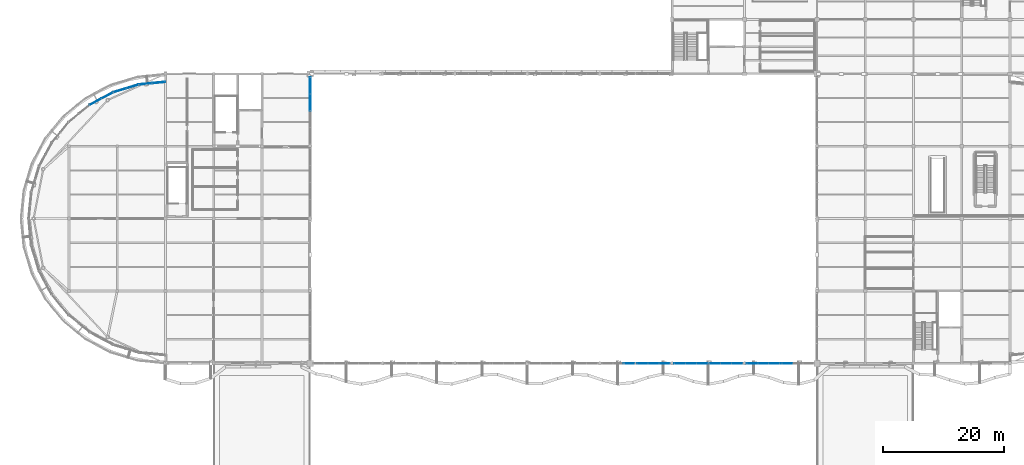
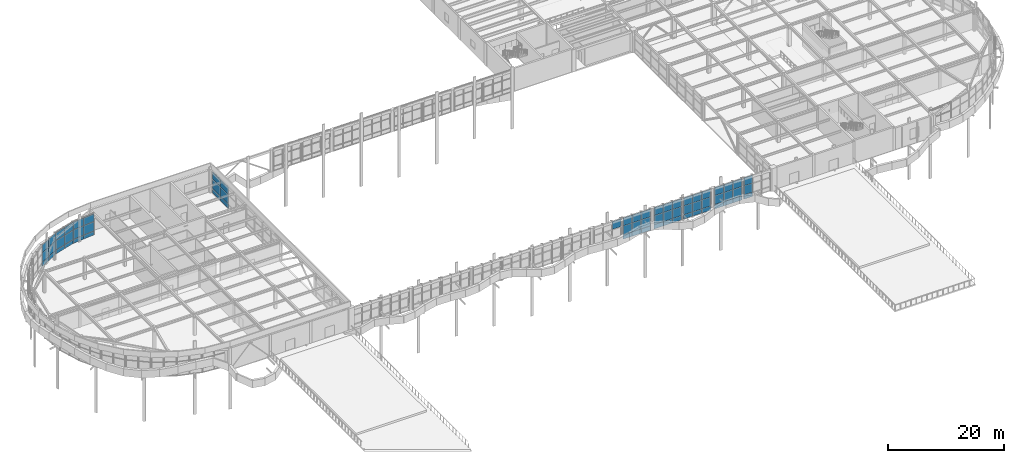
# One storey, part 36 of 63: 64 plates, 10 elements without a shape of their own.
"""IFC4 building model written with IfcOpenShell, lengths in metres."""

from ifc_helpers import new_model, si_unit, direction, frame, origin, origin_2d, place, context, subcontext, project, spatial, rectangle, extrude, material, layer, layer_set, type_object, element, aggregate, save


model = new_model("IFC4")

# Units and contexts
model_context = context("Model", 3, precision=1e-05, world=origin(), true_north=direction((0.0, 1.0)))
body_context = subcontext(model_context, "Body", "Model", "MODEL_VIEW")
ifc_project = project(units=[si_unit("LENGTHUNIT", "METRE"), si_unit("AREAUNIT", "SQUARE_METRE"), si_unit("VOLUMEUNIT", "CUBIC_METRE"), si_unit("PLANEANGLEUNIT", "RADIAN"), si_unit("MASSUNIT", "GRAM", prefix="KILO")], contexts=[model_context])

# Site, building, storey
site_placement = place(None, origin())
site = spatial("IfcSite", under=ifc_project, at=site_placement, CompositionType="ELEMENT")
building_placement = place(site_placement, origin())
building = spatial("IfcBuilding", under=site, at=building_placement, Name="Keelwater Ferry Terminal", CompositionType="ELEMENT")
storey_placement = place(building_placement, frame((0.0, 0.0, 10.199951171875)))
storey = spatial("IfcBuildingStorey", under=building, at=storey_placement, Name="L02", CompositionType="ELEMENT", Elevation=10.199951171875)

# Curtain wall, plates
ifc_material_1 = material(Name="Thermally broken unitised aluminium and triple glass", Category="aluminium")
ifc_layer_1 = layer(ifc_material_1, 0.179931640625)
ifc_layer_set_1 = layer_set([ifc_layer_1], Name="Thermally broken unitised aluminium and triple glass")
curtain_wall_type_1 = type_object("IfcCurtainWallType", Name="CW-04 Unitised Curtain Wall 5430x4450", PredefinedType="USERDEFINED", material=ifc_layer_set_1)
curtain_wall_1_placement = place(storey_placement, origin())
curtain_wall_1 = element("IfcCurtainWall", 1, at=curtain_wall_1_placement, inside=storey, type_object=curtain_wall_type_1, Name="Unitised Curtain Wall CW-L02-020", ObjectType="UNITISED CURTAIN WALL", PredefinedType="USERDEFINED")
ifc_material_2 = material(Name="Insulated white cassette spandrel", Category="aluminium")
ifc_layer_2 = layer(ifc_material_2, 0.094970703125)
ifc_layer_set_2 = layer_set([ifc_layer_2], Name="Insulated white cassette spandrel")
plate_type_1 = type_object("IfcPlateType", Name="CWP-S2 Insulated Spandrel Panel 95", PredefinedType="CURTAIN_PANEL", material=ifc_layer_set_2)
plate_1_placement = place(storey_placement, frame((103.10009765625, 42.0, 0.0), z_axis=(0.0, 0.0, 1.0), x_axis=(1.0, 0.0, 0.0)))
plate_1 = element("IfcPlate", 2, at=plate_1_placement, type_object=plate_type_1, Name="CW-L02-020 Panel 1.1", PredefinedType="CURTAIN_PANEL", context=body_context, shape_type="SweptSolid", body=[
    extrude(rectangle(XDim=1.81005859375, YDim=0.094970703125, at=origin_2d()), origin(), (0.0, 0.0, 1.0), 0.89990234375),
])
plate_2_placement = place(storey_placement, frame((104.909912109375, 42.0, 0.0), z_axis=(0.0, 0.0, 1.0), x_axis=(1.0, 0.0, 0.0)))
plate_2 = element("IfcPlate", 3, at=plate_2_placement, type_object=plate_type_1, Name="CW-L02-020 Panel 2.1", PredefinedType="CURTAIN_PANEL", context=body_context, shape_type="SweptSolid", body=[
    extrude(rectangle(XDim=1.81005859375, YDim=0.094970703125, at=origin_2d()), origin(), (0.0, 0.0, 1.0), 0.89990234375),
])
plate_3_placement = place(storey_placement, frame((106.719970703125, 42.0, 0.0), z_axis=(0.0, 0.0, 1.0), x_axis=(1.0, 0.0, 0.0)))
plate_3 = element("IfcPlate", 4, at=plate_3_placement, type_object=plate_type_1, Name="CW-L02-020 Panel 3.1", PredefinedType="CURTAIN_PANEL", context=body_context, shape_type="SweptSolid", body=[
    extrude(rectangle(XDim=1.81005859375, YDim=0.094970703125, at=origin_2d()), origin(), (0.0, 0.0, 1.0), 0.89990234375),
])

curtain_wall_2_placement = place(storey_placement, origin())
curtain_wall_2 = element("IfcCurtainWall", 5, at=curtain_wall_2_placement, inside=storey, type_object=curtain_wall_type_1, Name="Unitised Curtain Wall CW-L02-021", ObjectType="UNITISED CURTAIN WALL", PredefinedType="USERDEFINED")
plate_4_placement = place(storey_placement, frame((109.280029296875, 42.0, 0.0), z_axis=(0.0, 0.0, 1.0), x_axis=(1.0, 0.0, 0.0)))
plate_4 = element("IfcPlate", 6, at=plate_4_placement, type_object=plate_type_1, Name="CW-L02-021 Panel 1.1", PredefinedType="CURTAIN_PANEL", context=body_context, shape_type="SweptSolid", body=[
    extrude(rectangle(XDim=1.81005859375, YDim=0.094970703125, at=origin_2d()), origin(), (0.0, 0.0, 1.0), 0.89990234375),
])
plate_5_placement = place(storey_placement, frame((111.090087890625, 42.0, 0.0), z_axis=(0.0, 0.0, 1.0), x_axis=(1.0, 0.0, 0.0)))
plate_5 = element("IfcPlate", 7, at=plate_5_placement, type_object=plate_type_1, Name="CW-L02-021 Panel 2.1", PredefinedType="CURTAIN_PANEL", context=body_context, shape_type="SweptSolid", body=[
    extrude(rectangle(XDim=1.81005859375, YDim=0.094970703125, at=origin_2d()), origin(), (0.0, 0.0, 1.0), 0.89990234375),
])
plate_6_placement = place(storey_placement, frame((112.89990234375, 42.0, 0.0), z_axis=(0.0, 0.0, 1.0), x_axis=(1.0, 0.0, 0.0)))
plate_6 = element("IfcPlate", 8, at=plate_6_placement, type_object=plate_type_1, Name="CW-L02-021 Panel 3.1", PredefinedType="CURTAIN_PANEL", context=body_context, shape_type="SweptSolid", body=[
    extrude(rectangle(XDim=1.81005859375, YDim=0.094970703125, at=origin_2d()), origin(), (0.0, 0.0, 1.0), 0.89990234375),
])

curtain_wall_3_placement = place(storey_placement, origin())
curtain_wall_3 = element("IfcCurtainWall", 9, at=curtain_wall_3_placement, inside=storey, type_object=curtain_wall_type_1, Name="Unitised Curtain Wall CW-L02-022", ObjectType="UNITISED CURTAIN WALL", PredefinedType="USERDEFINED")
plate_7_placement = place(storey_placement, frame((115.10009765625, 42.0, 0.0), z_axis=(0.0, 0.0, 1.0), x_axis=(1.0, 0.0, 0.0)))
plate_7 = element("IfcPlate", 10, at=plate_7_placement, type_object=plate_type_1, Name="CW-L02-022 Panel 1.1", PredefinedType="CURTAIN_PANEL", context=body_context, shape_type="SweptSolid", body=[
    extrude(rectangle(XDim=1.81005859375, YDim=0.094970703125, at=origin_2d()), origin(), (0.0, 0.0, 1.0), 0.89990234375),
])
plate_8_placement = place(storey_placement, frame((116.909912109375, 42.0, 0.0), z_axis=(0.0, 0.0, 1.0), x_axis=(1.0, 0.0, 0.0)))
plate_8 = element("IfcPlate", 11, at=plate_8_placement, type_object=plate_type_1, Name="CW-L02-022 Panel 2.1", PredefinedType="CURTAIN_PANEL", context=body_context, shape_type="SweptSolid", body=[
    extrude(rectangle(XDim=1.81005859375, YDim=0.094970703125, at=origin_2d()), origin(), (0.0, 0.0, 1.0), 0.89990234375),
])
plate_9_placement = place(storey_placement, frame((118.719970703125, 42.0, 0.0), z_axis=(0.0, 0.0, 1.0), x_axis=(1.0, 0.0, 0.0)))
plate_9 = element("IfcPlate", 12, at=plate_9_placement, type_object=plate_type_1, Name="CW-L02-022 Panel 3.1", PredefinedType="CURTAIN_PANEL", context=body_context, shape_type="SweptSolid", body=[
    extrude(rectangle(XDim=1.81005859375, YDim=0.094970703125, at=origin_2d()), origin(), (0.0, 0.0, 1.0), 0.89990234375),
])

curtain_wall_4_placement = place(storey_placement, origin())
curtain_wall_4 = element("IfcCurtainWall", 13, at=curtain_wall_4_placement, inside=storey, type_object=curtain_wall_type_1, Name="Unitised Curtain Wall CW-L02-023", ObjectType="UNITISED CURTAIN WALL", PredefinedType="USERDEFINED")
plate_10_placement = place(storey_placement, frame((121.280029296875, 42.0, 0.0), z_axis=(0.0, 0.0, 1.0), x_axis=(1.0, 0.0, 0.0)))
plate_10 = element("IfcPlate", 14, at=plate_10_placement, type_object=plate_type_1, Name="CW-L02-023 Panel 1.1", PredefinedType="CURTAIN_PANEL", context=body_context, shape_type="SweptSolid", body=[
    extrude(rectangle(XDim=1.81005859375, YDim=0.094970703125, at=origin_2d()), origin(), (0.0, 0.0, 1.0), 0.89990234375),
])
plate_11_placement = place(storey_placement, frame((123.090087890625, 42.0, 0.0), z_axis=(0.0, 0.0, 1.0), x_axis=(1.0, 0.0, 0.0)))
plate_11 = element("IfcPlate", 15, at=plate_11_placement, type_object=plate_type_1, Name="CW-L02-023 Panel 2.1", PredefinedType="CURTAIN_PANEL", context=body_context, shape_type="SweptSolid", body=[
    extrude(rectangle(XDim=1.81005859375, YDim=0.094970703125, at=origin_2d()), origin(), (0.0, 0.0, 1.0), 0.89990234375),
])
plate_12_placement = place(storey_placement, frame((124.89990234375, 42.0, 0.0), z_axis=(0.0, 0.0, 1.0), x_axis=(1.0, 0.0, 0.0)))
plate_12 = element("IfcPlate", 16, at=plate_12_placement, type_object=plate_type_1, Name="CW-L02-023 Panel 3.1", PredefinedType="CURTAIN_PANEL", context=body_context, shape_type="SweptSolid", body=[
    extrude(rectangle(XDim=1.81005859375, YDim=0.094970703125, at=origin_2d()), origin(), (0.0, 0.0, 1.0), 0.89990234375),
])

# Curtain wall, plate
ifc_material_3 = material(Name="Thermally broken unitised aluminium and triple glass", Category="aluminium")
ifc_layer_3 = layer(ifc_material_3, 0.179931640625)
ifc_layer_set_3 = layer_set([ifc_layer_3], Name="Thermally broken unitised aluminium and triple glass")
curtain_wall_type_2 = type_object("IfcCurtainWallType", Name="CW-03 Unitised Curtain Wall 5230x4450", PredefinedType="USERDEFINED", material=ifc_layer_set_3)
curtain_wall_5_placement = place(storey_placement, origin())
curtain_wall_5 = element("IfcCurtainWall", 17, at=curtain_wall_5_placement, inside=storey, type_object=curtain_wall_type_2, Name="Unitised Curtain Wall CW-L02-024", ObjectType="UNITISED CURTAIN WALL", PredefinedType="USERDEFINED")
plate_13_placement = place(storey_placement, frame((127.066650390625, 42.0, 0.0), z_axis=(0.0, 0.0, 1.0), x_axis=(1.0, 0.0, 0.0)))
plate_13 = element("IfcPlate", 18, at=plate_13_placement, type_object=plate_type_1, Name="CW-L02-024 Panel 1.1", PredefinedType="CURTAIN_PANEL", context=body_context, shape_type="SweptSolid", body=[
    extrude(rectangle(XDim=1.743408203125, YDim=0.094970703125, at=origin_2d()), origin(), (0.0, 0.0, 1.0), 0.89990234375),
])

# Curtain wall, plates
ifc_material_4 = material(Name="Thermally broken unitised aluminium and triple glass", Category="aluminium")
ifc_layer_4 = layer(ifc_material_4, 0.179931640625)
ifc_layer_set_4 = layer_set([ifc_layer_4], Name="Thermally broken unitised aluminium and triple glass")
curtain_wall_type_3 = type_object("IfcCurtainWallType", Name="CW-14 Unitised Curtain Wall 11050x4450", PredefinedType="USERDEFINED", material=ifc_layer_set_4)
curtain_wall_6_placement = place(storey_placement, origin())
curtain_wall_6 = element("IfcCurtainWall", 19, at=curtain_wall_6_placement, inside=storey, type_object=curtain_wall_type_3, Name="Unitised Curtain Wall CW-L02-073", ObjectType="UNITISED CURTAIN WALL", PredefinedType="USERDEFINED")
plate_14_placement = place(storey_placement, frame((48.0, 85.28125, 0.0), z_axis=(0.0, 0.0, 1.0), x_axis=(0.0, 1.0, 0.0)))
plate_14 = element("IfcPlate", 20, at=plate_14_placement, type_object=plate_type_1, Name="CW-L02-073 Panel 3.1", PredefinedType="CURTAIN_PANEL", context=body_context, shape_type="SweptSolid", body=[
    extrude(rectangle(XDim=2.762451171875, YDim=0.094970703125, at=origin_2d()), origin(), (0.0, 0.0, 1.0), 0.89990234375),
])
plate_15_placement = place(storey_placement, frame((48.0, 88.043701171875, 0.0), z_axis=(0.0, 0.0, 1.0), x_axis=(0.0, 1.0, 0.0)))
plate_15 = element("IfcPlate", 21, at=plate_15_placement, type_object=plate_type_1, Name="CW-L02-073 Panel 4.1", PredefinedType="CURTAIN_PANEL", context=body_context, shape_type="SweptSolid", body=[
    extrude(rectangle(XDim=2.762451171875, YDim=0.094970703125, at=origin_2d()), origin(), (0.0, 0.0, 1.0), 0.89990234375),
])

ifc_material_5 = material(Name="Thermally broken unitised aluminium and triple glass", Category="aluminium")
ifc_layer_5 = layer(ifc_material_5, 0.179931640625)
ifc_layer_set_5 = layer_set([ifc_layer_5], Name="Thermally broken unitised aluminium and triple glass")
curtain_wall_type_4 = type_object("IfcCurtainWallType", Name="CW-18 Unitised Curtain Wall 4350x4480", PredefinedType="USERDEFINED", material=ifc_layer_set_5)
curtain_wall_7_placement = place(storey_placement, origin())
curtain_wall_7 = element("IfcCurtainWall", 22, at=curtain_wall_7_placement, inside=storey, type_object=curtain_wall_type_4, Name="Unitised Curtain Wall CW-L02-141", ObjectType="UNITISED CURTAIN WALL", PredefinedType="USERDEFINED")
plate_16_placement = place(storey_placement, frame((22.872802734375, 88.539306640625, 0.0), z_axis=(0.0, 0.0, 1.0), x_axis=(-0.995170573079, -0.098160737969, 0.0)))
plate_16 = element("IfcPlate", 23, at=plate_16_placement, type_object=plate_type_1, Name="CW-L02-141 Panel 1.1", PredefinedType="CURTAIN_PANEL", context=body_context, shape_type="SweptSolid", body=[
    extrude(rectangle(XDim=2.175048828125, YDim=0.094970703125, at=origin_2d()), origin(), (0.0, 0.0, 1.0), 0.85009765625),
])
plate_17_placement = place(storey_placement, frame((20.708251953125, 88.32568359375, 0.0), z_axis=(0.0, 0.0, 1.0), x_axis=(-0.995170573079, -0.098160737969, 0.0)))
plate_17 = element("IfcPlate", 24, at=plate_17_placement, type_object=plate_type_1, Name="CW-L02-141 Panel 2.1", PredefinedType="CURTAIN_PANEL", context=body_context, shape_type="SweptSolid", body=[
    extrude(rectangle(XDim=2.175048828125, YDim=0.094970703125, at=origin_2d()), origin(), (0.0, 0.0, 1.0), 0.85009765625),
])

curtain_wall_8_placement = place(storey_placement, origin())
curtain_wall_8 = element("IfcCurtainWall", 25, at=curtain_wall_8_placement, inside=storey, type_object=curtain_wall_type_4, Name="Unitised Curtain Wall CW-L02-142", ObjectType="UNITISED CURTAIN WALL", PredefinedType="USERDEFINED")
plate_18_placement = place(storey_placement, frame((18.497314453125, 87.88623046875, 0.0), z_axis=(0.0, 0.0, 1.0), x_axis=(-0.956929623319, -0.290319989003, 0.0)))
plate_18 = element("IfcPlate", 26, at=plate_18_placement, type_object=plate_type_1, Name="CW-L02-142 Panel 1.1", PredefinedType="CURTAIN_PANEL", context=body_context, shape_type="SweptSolid", body=[
    extrude(rectangle(XDim=2.17529296875, YDim=0.094970703125, at=origin_2d()), origin(), (0.0, 0.0, 1.0), 0.85009765625),
])
plate_19_placement = place(storey_placement, frame((16.415771484375, 87.254638671875, 0.0), z_axis=(0.0, 0.0, 1.0), x_axis=(-0.956929623319, -0.290319989003, 0.0)))
plate_19 = element("IfcPlate", 27, at=plate_19_placement, type_object=plate_type_1, Name="CW-L02-142 Panel 2.1", PredefinedType="CURTAIN_PANEL", context=body_context, shape_type="SweptSolid", body=[
    extrude(rectangle(XDim=2.17529296875, YDim=0.094970703125, at=origin_2d()), origin(), (0.0, 0.0, 1.0), 0.85009765625),
])

curtain_wall_9_placement = place(storey_placement, origin())
curtain_wall_9 = element("IfcCurtainWall", 28, at=curtain_wall_9_placement, inside=storey, type_object=curtain_wall_type_4, Name="Unitised Curtain Wall CW-L02-143", ObjectType="UNITISED CURTAIN WALL", PredefinedType="USERDEFINED")
plate_20_placement = place(storey_placement, frame((14.3330078125, 86.392333984375, 0.0), z_axis=(0.0, 0.0, 1.0), x_axis=(-0.881862452632, -0.471506749303, 0.0)))
plate_20 = element("IfcPlate", 29, at=plate_20_placement, type_object=plate_type_1, Name="CW-L02-143 Panel 1.1", PredefinedType="CURTAIN_PANEL", context=body_context, shape_type="SweptSolid", body=[
    extrude(rectangle(XDim=2.175048828125, YDim=0.094970703125, at=origin_2d()), origin(), (0.0, 0.0, 1.0), 0.85009765625),
])
plate_21_placement = place(storey_placement, frame((12.4150390625, 85.36669921875, 0.0), z_axis=(0.0, 0.0, 1.0), x_axis=(-0.881862452632, -0.471506749303, 0.0)))
plate_21 = element("IfcPlate", 30, at=plate_21_placement, type_object=plate_type_1, Name="CW-L02-143 Panel 2.1", PredefinedType="CURTAIN_PANEL", context=body_context, shape_type="SweptSolid", body=[
    extrude(rectangle(XDim=2.175048828125, YDim=0.094970703125, at=origin_2d()), origin(), (0.0, 0.0, 1.0), 0.85009765625),
])

# Plate
ifc_material_6 = material(Name="Triple low-E laminated glass", Category="glass")
ifc_layer_6 = layer(ifc_material_6, 0.035888671875)
ifc_layer_set_6 = layer_set([ifc_layer_6], Name="Triple low-E laminated glass")
plate_type_2 = type_object("IfcPlateType", Name="CWP-V1 Glazed Vision Panel 36", PredefinedType="CURTAIN_PANEL", material=ifc_layer_set_6)
plate_22_placement = place(storey_placement, frame((22.872802734375, 88.539306640625, 0.85009765625), z_axis=(0.0, 0.0, 1.0), x_axis=(-0.995170573079, -0.098160737969, 0.0)))
plate_22 = element("IfcPlate", 31, at=plate_22_placement, type_object=plate_type_2, Name="CW-L02-141 Panel 1.2", PredefinedType="CURTAIN_PANEL", context=body_context, shape_type="SweptSolid", body=[
    extrude(rectangle(XDim=2.175048828125, YDim=0.035888671875, at=origin_2d()), origin(), (0.0, 0.0, 1.0), 2.0),
])

plate_23_placement = place(storey_placement, frame((22.872802734375, 88.539306640625, 2.85009765625), z_axis=(0.0, 0.0, 1.0), x_axis=(-0.995170573079, -0.098160737969, 0.0)))
plate_23 = element("IfcPlate", 32, at=plate_23_placement, type_object=plate_type_2, Name="CW-L02-141 Panel 1.3", PredefinedType="CURTAIN_PANEL", context=body_context, shape_type="SweptSolid", body=[
    extrude(rectangle(XDim=2.175048828125, YDim=0.035888671875, at=origin_2d()), origin(), (0.0, 0.0, 1.0), 1.6298828125),
])

plate_24_placement = place(storey_placement, frame((20.708251953125, 88.32568359375, 0.85009765625), z_axis=(0.0, 0.0, 1.0), x_axis=(-0.995170573079, -0.098160737969, 0.0)))
plate_24 = element("IfcPlate", 33, at=plate_24_placement, type_object=plate_type_2, Name="CW-L02-141 Panel 2.2", PredefinedType="CURTAIN_PANEL", context=body_context, shape_type="SweptSolid", body=[
    extrude(rectangle(XDim=2.175048828125, YDim=0.035888671875, at=origin_2d()), origin(), (0.0, 0.0, 1.0), 2.0),
])

plate_25_placement = place(storey_placement, frame((20.708251953125, 88.32568359375, 2.85009765625), z_axis=(0.0, 0.0, 1.0), x_axis=(-0.995170573079, -0.098160737969, 0.0)))
plate_25 = element("IfcPlate", 34, at=plate_25_placement, type_object=plate_type_2, Name="CW-L02-141 Panel 2.3", PredefinedType="CURTAIN_PANEL", context=body_context, shape_type="SweptSolid", body=[
    extrude(rectangle(XDim=2.175048828125, YDim=0.035888671875, at=origin_2d()), origin(), (0.0, 0.0, 1.0), 1.6298828125),
])

aggregate(curtain_wall_7, [plate_16, plate_22, plate_23, plate_17, plate_24, plate_25])

plate_26_placement = place(storey_placement, frame((18.497314453125, 87.88623046875, 0.85009765625), z_axis=(0.0, 0.0, 1.0), x_axis=(-0.956929623319, -0.290319989003, 0.0)))
plate_26 = element("IfcPlate", 35, at=plate_26_placement, type_object=plate_type_2, Name="CW-L02-142 Panel 1.2", PredefinedType="CURTAIN_PANEL", context=body_context, shape_type="SweptSolid", body=[
    extrude(rectangle(XDim=2.17529296875, YDim=0.035888671875, at=origin_2d()), origin(), (0.0, 0.0, 1.0), 2.0),
])

plate_27_placement = place(storey_placement, frame((18.497314453125, 87.88623046875, 2.85009765625), z_axis=(0.0, 0.0, 1.0), x_axis=(-0.956929623319, -0.290319989003, 0.0)))
plate_27 = element("IfcPlate", 36, at=plate_27_placement, type_object=plate_type_2, Name="CW-L02-142 Panel 1.3", PredefinedType="CURTAIN_PANEL", context=body_context, shape_type="SweptSolid", body=[
    extrude(rectangle(XDim=2.17529296875, YDim=0.035888671875, at=origin_2d()), origin(), (0.0, 0.0, 1.0), 1.6298828125),
])

plate_28_placement = place(storey_placement, frame((16.415771484375, 87.254638671875, 0.85009765625), z_axis=(0.0, 0.0, 1.0), x_axis=(-0.956929623319, -0.290319989003, 0.0)))
plate_28 = element("IfcPlate", 37, at=plate_28_placement, type_object=plate_type_2, Name="CW-L02-142 Panel 2.2", PredefinedType="CURTAIN_PANEL", context=body_context, shape_type="SweptSolid", body=[
    extrude(rectangle(XDim=2.17529296875, YDim=0.035888671875, at=origin_2d()), origin(), (0.0, 0.0, 1.0), 2.0),
])

plate_29_placement = place(storey_placement, frame((16.415771484375, 87.254638671875, 2.85009765625), z_axis=(0.0, 0.0, 1.0), x_axis=(-0.956929623319, -0.290319989003, 0.0)))
plate_29 = element("IfcPlate", 38, at=plate_29_placement, type_object=plate_type_2, Name="CW-L02-142 Panel 2.3", PredefinedType="CURTAIN_PANEL", context=body_context, shape_type="SweptSolid", body=[
    extrude(rectangle(XDim=2.17529296875, YDim=0.035888671875, at=origin_2d()), origin(), (0.0, 0.0, 1.0), 1.6298828125),
])

aggregate(curtain_wall_8, [plate_18, plate_26, plate_27, plate_19, plate_28, plate_29])

plate_30_placement = place(storey_placement, frame((14.3330078125, 86.392333984375, 0.85009765625), z_axis=(0.0, 0.0, 1.0), x_axis=(-0.881862452632, -0.471506749303, 0.0)))
plate_30 = element("IfcPlate", 39, at=plate_30_placement, type_object=plate_type_2, Name="CW-L02-143 Panel 1.2", PredefinedType="CURTAIN_PANEL", context=body_context, shape_type="SweptSolid", body=[
    extrude(rectangle(XDim=2.175048828125, YDim=0.035888671875, at=origin_2d()), origin(), (0.0, 0.0, 1.0), 2.0),
])

plate_31_placement = place(storey_placement, frame((14.3330078125, 86.392333984375, 2.85009765625), z_axis=(0.0, 0.0, 1.0), x_axis=(-0.881862452632, -0.471506749303, 0.0)))
plate_31 = element("IfcPlate", 40, at=plate_31_placement, type_object=plate_type_2, Name="CW-L02-143 Panel 1.3", PredefinedType="CURTAIN_PANEL", context=body_context, shape_type="SweptSolid", body=[
    extrude(rectangle(XDim=2.175048828125, YDim=0.035888671875, at=origin_2d()), origin(), (0.0, 0.0, 1.0), 1.6298828125),
])

plate_32_placement = place(storey_placement, frame((12.4150390625, 85.36669921875, 0.85009765625), z_axis=(0.0, 0.0, 1.0), x_axis=(-0.881862452632, -0.471506749303, 0.0)))
plate_32 = element("IfcPlate", 41, at=plate_32_placement, type_object=plate_type_2, Name="CW-L02-143 Panel 2.2", PredefinedType="CURTAIN_PANEL", context=body_context, shape_type="SweptSolid", body=[
    extrude(rectangle(XDim=2.175048828125, YDim=0.035888671875, at=origin_2d()), origin(), (0.0, 0.0, 1.0), 2.0),
])

plate_33_placement = place(storey_placement, frame((12.4150390625, 85.36669921875, 2.85009765625), z_axis=(0.0, 0.0, 1.0), x_axis=(-0.881862452632, -0.471506749303, 0.0)))
plate_33 = element("IfcPlate", 42, at=plate_33_placement, type_object=plate_type_2, Name="CW-L02-143 Panel 2.3", PredefinedType="CURTAIN_PANEL", context=body_context, shape_type="SweptSolid", body=[
    extrude(rectangle(XDim=2.175048828125, YDim=0.035888671875, at=origin_2d()), origin(), (0.0, 0.0, 1.0), 1.6298828125),
])

aggregate(curtain_wall_9, [plate_20, plate_30, plate_31, plate_21, plate_32, plate_33])

# Curtain wall, plate
curtain_wall_10_placement = place(storey_placement, origin())
curtain_wall_10 = element("IfcCurtainWall", 43, at=curtain_wall_10_placement, inside=storey, type_object=curtain_wall_type_1, Name="Unitised Curtain Wall CW-L02-019", ObjectType="UNITISED CURTAIN WALL", PredefinedType="USERDEFINED")
ifc_material_7 = material(Name="Triple solar-control glass", Category="glass")
ifc_layer_7 = layer(ifc_material_7, 0.0419921875)
ifc_layer_set_7 = layer_set([ifc_layer_7], Name="Triple solar-control glass")
plate_type_3 = type_object("IfcPlateType", Name="CWP-V2 Glazed Vision Panel 42", PredefinedType="CURTAIN_PANEL", material=ifc_layer_set_7)
plate_34_placement = place(storey_placement, frame((100.89990234375, 42.0, 2.800048828125), z_axis=(0.0, 0.0, 1.0), x_axis=(1.0, 0.0, 0.0)))
plate_34 = element("IfcPlate", 44, at=plate_34_placement, type_object=plate_type_3, Name="CW-L02-019 Panel 3.3", PredefinedType="CURTAIN_PANEL", context=body_context, shape_type="SweptSolid", body=[
    extrude(rectangle(XDim=1.81005859375, YDim=0.0419921875, at=origin_2d()), origin(), (0.0, 0.0, 1.0), 1.64990234375),
])
aggregate(curtain_wall_10, [plate_34])

# Plate
plate_35_placement = place(storey_placement, frame((103.10009765625, 42.0, 0.900146484375), z_axis=(0.0, 0.0, 1.0), x_axis=(1.0, 0.0, 0.0)))
plate_35 = element("IfcPlate", 45, at=plate_35_placement, type_object=plate_type_3, Name="CW-L02-020 Panel 1.2", PredefinedType="CURTAIN_PANEL", context=body_context, shape_type="SweptSolid", body=[
    extrude(rectangle(XDim=1.81005859375, YDim=0.0419921875, at=origin_2d()), origin(), (0.0, 0.0, 1.0), 1.89990234375),
])

plate_36_placement = place(storey_placement, frame((103.10009765625, 42.0, 2.800048828125), z_axis=(0.0, 0.0, 1.0), x_axis=(1.0, 0.0, 0.0)))
plate_36 = element("IfcPlate", 46, at=plate_36_placement, type_object=plate_type_3, Name="CW-L02-020 Panel 1.3", PredefinedType="CURTAIN_PANEL", context=body_context, shape_type="SweptSolid", body=[
    extrude(rectangle(XDim=1.81005859375, YDim=0.0419921875, at=origin_2d()), origin(), (0.0, 0.0, 1.0), 1.64990234375),
])

plate_37_placement = place(storey_placement, frame((104.909912109375, 42.0, 0.900146484375), z_axis=(0.0, 0.0, 1.0), x_axis=(1.0, 0.0, 0.0)))
plate_37 = element("IfcPlate", 47, at=plate_37_placement, type_object=plate_type_3, Name="CW-L02-020 Panel 2.2", PredefinedType="CURTAIN_PANEL", context=body_context, shape_type="SweptSolid", body=[
    extrude(rectangle(XDim=1.81005859375, YDim=0.0419921875, at=origin_2d()), origin(), (0.0, 0.0, 1.0), 1.89990234375),
])

plate_38_placement = place(storey_placement, frame((104.909912109375, 42.0, 2.800048828125), z_axis=(0.0, 0.0, 1.0), x_axis=(1.0, 0.0, 0.0)))
plate_38 = element("IfcPlate", 48, at=plate_38_placement, type_object=plate_type_3, Name="CW-L02-020 Panel 2.3", PredefinedType="CURTAIN_PANEL", context=body_context, shape_type="SweptSolid", body=[
    extrude(rectangle(XDim=1.81005859375, YDim=0.0419921875, at=origin_2d()), origin(), (0.0, 0.0, 1.0), 1.64990234375),
])

plate_39_placement = place(storey_placement, frame((106.719970703125, 42.0, 0.900146484375), z_axis=(0.0, 0.0, 1.0), x_axis=(1.0, 0.0, 0.0)))
plate_39 = element("IfcPlate", 49, at=plate_39_placement, type_object=plate_type_3, Name="CW-L02-020 Panel 3.2", PredefinedType="CURTAIN_PANEL", context=body_context, shape_type="SweptSolid", body=[
    extrude(rectangle(XDim=1.81005859375, YDim=0.0419921875, at=origin_2d()), origin(), (0.0, 0.0, 1.0), 1.89990234375),
])

plate_40_placement = place(storey_placement, frame((106.719970703125, 42.0, 2.800048828125), z_axis=(0.0, 0.0, 1.0), x_axis=(1.0, 0.0, 0.0)))
plate_40 = element("IfcPlate", 50, at=plate_40_placement, type_object=plate_type_3, Name="CW-L02-020 Panel 3.3", PredefinedType="CURTAIN_PANEL", context=body_context, shape_type="SweptSolid", body=[
    extrude(rectangle(XDim=1.81005859375, YDim=0.0419921875, at=origin_2d()), origin(), (0.0, 0.0, 1.0), 1.64990234375),
])

aggregate(curtain_wall_1, [plate_1, plate_35, plate_36, plate_2, plate_37, plate_38, plate_3, plate_39, plate_40])

plate_41_placement = place(storey_placement, frame((109.280029296875, 42.0, 0.900146484375), z_axis=(0.0, 0.0, 1.0), x_axis=(1.0, 0.0, 0.0)))
plate_41 = element("IfcPlate", 51, at=plate_41_placement, type_object=plate_type_3, Name="CW-L02-021 Panel 1.2", PredefinedType="CURTAIN_PANEL", context=body_context, shape_type="SweptSolid", body=[
    extrude(rectangle(XDim=1.81005859375, YDim=0.0419921875, at=origin_2d()), origin(), (0.0, 0.0, 1.0), 1.89990234375),
])

plate_42_placement = place(storey_placement, frame((109.280029296875, 42.0, 2.800048828125), z_axis=(0.0, 0.0, 1.0), x_axis=(1.0, 0.0, 0.0)))
plate_42 = element("IfcPlate", 52, at=plate_42_placement, type_object=plate_type_3, Name="CW-L02-021 Panel 1.3", PredefinedType="CURTAIN_PANEL", context=body_context, shape_type="SweptSolid", body=[
    extrude(rectangle(XDim=1.81005859375, YDim=0.0419921875, at=origin_2d()), origin(), (0.0, 0.0, 1.0), 1.64990234375),
])

plate_43_placement = place(storey_placement, frame((111.090087890625, 42.0, 0.900146484375), z_axis=(0.0, 0.0, 1.0), x_axis=(1.0, 0.0, 0.0)))
plate_43 = element("IfcPlate", 53, at=plate_43_placement, type_object=plate_type_3, Name="CW-L02-021 Panel 2.2", PredefinedType="CURTAIN_PANEL", context=body_context, shape_type="SweptSolid", body=[
    extrude(rectangle(XDim=1.81005859375, YDim=0.0419921875, at=origin_2d()), origin(), (0.0, 0.0, 1.0), 1.89990234375),
])

plate_44_placement = place(storey_placement, frame((111.090087890625, 42.0, 2.800048828125), z_axis=(0.0, 0.0, 1.0), x_axis=(1.0, 0.0, 0.0)))
plate_44 = element("IfcPlate", 54, at=plate_44_placement, type_object=plate_type_3, Name="CW-L02-021 Panel 2.3", PredefinedType="CURTAIN_PANEL", context=body_context, shape_type="SweptSolid", body=[
    extrude(rectangle(XDim=1.81005859375, YDim=0.0419921875, at=origin_2d()), origin(), (0.0, 0.0, 1.0), 1.64990234375),
])

plate_45_placement = place(storey_placement, frame((112.89990234375, 42.0, 0.900146484375), z_axis=(0.0, 0.0, 1.0), x_axis=(1.0, 0.0, 0.0)))
plate_45 = element("IfcPlate", 55, at=plate_45_placement, type_object=plate_type_3, Name="CW-L02-021 Panel 3.2", PredefinedType="CURTAIN_PANEL", context=body_context, shape_type="SweptSolid", body=[
    extrude(rectangle(XDim=1.81005859375, YDim=0.0419921875, at=origin_2d()), origin(), (0.0, 0.0, 1.0), 1.89990234375),
])

plate_46_placement = place(storey_placement, frame((112.89990234375, 42.0, 2.800048828125), z_axis=(0.0, 0.0, 1.0), x_axis=(1.0, 0.0, 0.0)))
plate_46 = element("IfcPlate", 56, at=plate_46_placement, type_object=plate_type_3, Name="CW-L02-021 Panel 3.3", PredefinedType="CURTAIN_PANEL", context=body_context, shape_type="SweptSolid", body=[
    extrude(rectangle(XDim=1.81005859375, YDim=0.0419921875, at=origin_2d()), origin(), (0.0, 0.0, 1.0), 1.64990234375),
])

aggregate(curtain_wall_2, [plate_4, plate_41, plate_42, plate_5, plate_43, plate_44, plate_6, plate_45, plate_46])

plate_47_placement = place(storey_placement, frame((115.10009765625, 42.0, 0.900146484375), z_axis=(0.0, 0.0, 1.0), x_axis=(1.0, 0.0, 0.0)))
plate_47 = element("IfcPlate", 57, at=plate_47_placement, type_object=plate_type_3, Name="CW-L02-022 Panel 1.2", PredefinedType="CURTAIN_PANEL", context=body_context, shape_type="SweptSolid", body=[
    extrude(rectangle(XDim=1.81005859375, YDim=0.0419921875, at=origin_2d()), origin(), (0.0, 0.0, 1.0), 1.89990234375),
])

plate_48_placement = place(storey_placement, frame((115.10009765625, 42.0, 2.800048828125), z_axis=(0.0, 0.0, 1.0), x_axis=(1.0, 0.0, 0.0)))
plate_48 = element("IfcPlate", 58, at=plate_48_placement, type_object=plate_type_3, Name="CW-L02-022 Panel 1.3", PredefinedType="CURTAIN_PANEL", context=body_context, shape_type="SweptSolid", body=[
    extrude(rectangle(XDim=1.81005859375, YDim=0.0419921875, at=origin_2d()), origin(), (0.0, 0.0, 1.0), 1.64990234375),
])

plate_49_placement = place(storey_placement, frame((116.909912109375, 42.0, 0.900146484375), z_axis=(0.0, 0.0, 1.0), x_axis=(1.0, 0.0, 0.0)))
plate_49 = element("IfcPlate", 59, at=plate_49_placement, type_object=plate_type_3, Name="CW-L02-022 Panel 2.2", PredefinedType="CURTAIN_PANEL", context=body_context, shape_type="SweptSolid", body=[
    extrude(rectangle(XDim=1.81005859375, YDim=0.0419921875, at=origin_2d()), origin(), (0.0, 0.0, 1.0), 1.89990234375),
])

plate_50_placement = place(storey_placement, frame((116.909912109375, 42.0, 2.800048828125), z_axis=(0.0, 0.0, 1.0), x_axis=(1.0, 0.0, 0.0)))
plate_50 = element("IfcPlate", 60, at=plate_50_placement, type_object=plate_type_3, Name="CW-L02-022 Panel 2.3", PredefinedType="CURTAIN_PANEL", context=body_context, shape_type="SweptSolid", body=[
    extrude(rectangle(XDim=1.81005859375, YDim=0.0419921875, at=origin_2d()), origin(), (0.0, 0.0, 1.0), 1.64990234375),
])

plate_51_placement = place(storey_placement, frame((118.719970703125, 42.0, 0.900146484375), z_axis=(0.0, 0.0, 1.0), x_axis=(1.0, 0.0, 0.0)))
plate_51 = element("IfcPlate", 61, at=plate_51_placement, type_object=plate_type_3, Name="CW-L02-022 Panel 3.2", PredefinedType="CURTAIN_PANEL", context=body_context, shape_type="SweptSolid", body=[
    extrude(rectangle(XDim=1.81005859375, YDim=0.0419921875, at=origin_2d()), origin(), (0.0, 0.0, 1.0), 1.89990234375),
])

plate_52_placement = place(storey_placement, frame((118.719970703125, 42.0, 2.800048828125), z_axis=(0.0, 0.0, 1.0), x_axis=(1.0, 0.0, 0.0)))
plate_52 = element("IfcPlate", 62, at=plate_52_placement, type_object=plate_type_3, Name="CW-L02-022 Panel 3.3", PredefinedType="CURTAIN_PANEL", context=body_context, shape_type="SweptSolid", body=[
    extrude(rectangle(XDim=1.81005859375, YDim=0.0419921875, at=origin_2d()), origin(), (0.0, 0.0, 1.0), 1.64990234375),
])

aggregate(curtain_wall_3, [plate_7, plate_47, plate_48, plate_8, plate_49, plate_50, plate_9, plate_51, plate_52])

plate_53_placement = place(storey_placement, frame((121.280029296875, 42.0, 0.900146484375), z_axis=(0.0, 0.0, 1.0), x_axis=(1.0, 0.0, 0.0)))
plate_53 = element("IfcPlate", 63, at=plate_53_placement, type_object=plate_type_3, Name="CW-L02-023 Panel 1.2", PredefinedType="CURTAIN_PANEL", context=body_context, shape_type="SweptSolid", body=[
    extrude(rectangle(XDim=1.81005859375, YDim=0.0419921875, at=origin_2d()), origin(), (0.0, 0.0, 1.0), 1.89990234375),
])

plate_54_placement = place(storey_placement, frame((121.280029296875, 42.0, 2.800048828125), z_axis=(0.0, 0.0, 1.0), x_axis=(1.0, 0.0, 0.0)))
plate_54 = element("IfcPlate", 64, at=plate_54_placement, type_object=plate_type_3, Name="CW-L02-023 Panel 1.3", PredefinedType="CURTAIN_PANEL", context=body_context, shape_type="SweptSolid", body=[
    extrude(rectangle(XDim=1.81005859375, YDim=0.0419921875, at=origin_2d()), origin(), (0.0, 0.0, 1.0), 1.64990234375),
])

plate_55_placement = place(storey_placement, frame((123.090087890625, 42.0, 0.900146484375), z_axis=(0.0, 0.0, 1.0), x_axis=(1.0, 0.0, 0.0)))
plate_55 = element("IfcPlate", 65, at=plate_55_placement, type_object=plate_type_3, Name="CW-L02-023 Panel 2.2", PredefinedType="CURTAIN_PANEL", context=body_context, shape_type="SweptSolid", body=[
    extrude(rectangle(XDim=1.81005859375, YDim=0.0419921875, at=origin_2d()), origin(), (0.0, 0.0, 1.0), 1.89990234375),
])

plate_56_placement = place(storey_placement, frame((123.090087890625, 42.0, 2.800048828125), z_axis=(0.0, 0.0, 1.0), x_axis=(1.0, 0.0, 0.0)))
plate_56 = element("IfcPlate", 66, at=plate_56_placement, type_object=plate_type_3, Name="CW-L02-023 Panel 2.3", PredefinedType="CURTAIN_PANEL", context=body_context, shape_type="SweptSolid", body=[
    extrude(rectangle(XDim=1.81005859375, YDim=0.0419921875, at=origin_2d()), origin(), (0.0, 0.0, 1.0), 1.64990234375),
])

plate_57_placement = place(storey_placement, frame((124.89990234375, 42.0, 0.900146484375), z_axis=(0.0, 0.0, 1.0), x_axis=(1.0, 0.0, 0.0)))
plate_57 = element("IfcPlate", 67, at=plate_57_placement, type_object=plate_type_3, Name="CW-L02-023 Panel 3.2", PredefinedType="CURTAIN_PANEL", context=body_context, shape_type="SweptSolid", body=[
    extrude(rectangle(XDim=1.81005859375, YDim=0.0419921875, at=origin_2d()), origin(), (0.0, 0.0, 1.0), 1.89990234375),
])

plate_58_placement = place(storey_placement, frame((124.89990234375, 42.0, 2.800048828125), z_axis=(0.0, 0.0, 1.0), x_axis=(1.0, 0.0, 0.0)))
plate_58 = element("IfcPlate", 68, at=plate_58_placement, type_object=plate_type_3, Name="CW-L02-023 Panel 3.3", PredefinedType="CURTAIN_PANEL", context=body_context, shape_type="SweptSolid", body=[
    extrude(rectangle(XDim=1.81005859375, YDim=0.0419921875, at=origin_2d()), origin(), (0.0, 0.0, 1.0), 1.64990234375),
])

aggregate(curtain_wall_4, [plate_10, plate_53, plate_54, plate_11, plate_55, plate_56, plate_12, plate_57, plate_58])

plate_59_placement = place(storey_placement, frame((127.066650390625, 42.0, 0.900146484375), z_axis=(0.0, 0.0, 1.0), x_axis=(1.0, 0.0, 0.0)))
plate_59 = element("IfcPlate", 69, at=plate_59_placement, type_object=plate_type_3, Name="CW-L02-024 Panel 1.2", PredefinedType="CURTAIN_PANEL", context=body_context, shape_type="SweptSolid", body=[
    extrude(rectangle(XDim=1.743408203125, YDim=0.0419921875, at=origin_2d()), origin(), (0.0, 0.0, 1.0), 1.89990234375),
])

plate_60_placement = place(storey_placement, frame((127.066650390625, 42.0, 2.800048828125), z_axis=(0.0, 0.0, 1.0), x_axis=(1.0, 0.0, 0.0)))
plate_60 = element("IfcPlate", 70, at=plate_60_placement, type_object=plate_type_3, Name="CW-L02-024 Panel 1.3", PredefinedType="CURTAIN_PANEL", context=body_context, shape_type="SweptSolid", body=[
    extrude(rectangle(XDim=1.743408203125, YDim=0.0419921875, at=origin_2d()), origin(), (0.0, 0.0, 1.0), 1.64990234375),
])

aggregate(curtain_wall_5, [plate_13, plate_59, plate_60])

plate_61_placement = place(storey_placement, frame((48.0, 85.28125, 0.900146484375), z_axis=(0.0, 0.0, 1.0), x_axis=(0.0, 1.0, 0.0)))
plate_61 = element("IfcPlate", 71, at=plate_61_placement, type_object=plate_type_3, Name="CW-L02-073 Panel 3.2", PredefinedType="CURTAIN_PANEL", context=body_context, shape_type="SweptSolid", body=[
    extrude(rectangle(XDim=2.762451171875, YDim=0.0419921875, at=origin_2d()), origin(), (0.0, 0.0, 1.0), 2.0),
])

plate_62_placement = place(storey_placement, frame((48.0, 85.28125, 2.89990234375), z_axis=(0.0, 0.0, 1.0), x_axis=(0.0, 1.0, 0.0)))
plate_62 = element("IfcPlate", 72, at=plate_62_placement, type_object=plate_type_3, Name="CW-L02-073 Panel 3.3", PredefinedType="CURTAIN_PANEL", context=body_context, shape_type="SweptSolid", body=[
    extrude(rectangle(XDim=2.762451171875, YDim=0.0419921875, at=origin_2d()), origin(), (0.0, 0.0, 1.0), 1.550048828125),
])

plate_63_placement = place(storey_placement, frame((48.0, 88.043701171875, 0.900146484375), z_axis=(0.0, 0.0, 1.0), x_axis=(0.0, 1.0, 0.0)))
plate_63 = element("IfcPlate", 73, at=plate_63_placement, type_object=plate_type_3, Name="CW-L02-073 Panel 4.2", PredefinedType="CURTAIN_PANEL", context=body_context, shape_type="SweptSolid", body=[
    extrude(rectangle(XDim=2.762451171875, YDim=0.0419921875, at=origin_2d()), origin(), (0.0, 0.0, 1.0), 2.0),
])

plate_64_placement = place(storey_placement, frame((48.0, 88.043701171875, 2.89990234375), z_axis=(0.0, 0.0, 1.0), x_axis=(0.0, 1.0, 0.0)))
plate_64 = element("IfcPlate", 74, at=plate_64_placement, type_object=plate_type_3, Name="CW-L02-073 Panel 4.3", PredefinedType="CURTAIN_PANEL", context=body_context, shape_type="SweptSolid", body=[
    extrude(rectangle(XDim=2.762451171875, YDim=0.0419921875, at=origin_2d()), origin(), (0.0, 0.0, 1.0), 1.550048828125),
])

aggregate(curtain_wall_6, [plate_14, plate_61, plate_62, plate_15, plate_63, plate_64])

save(model, "model.ifc")
